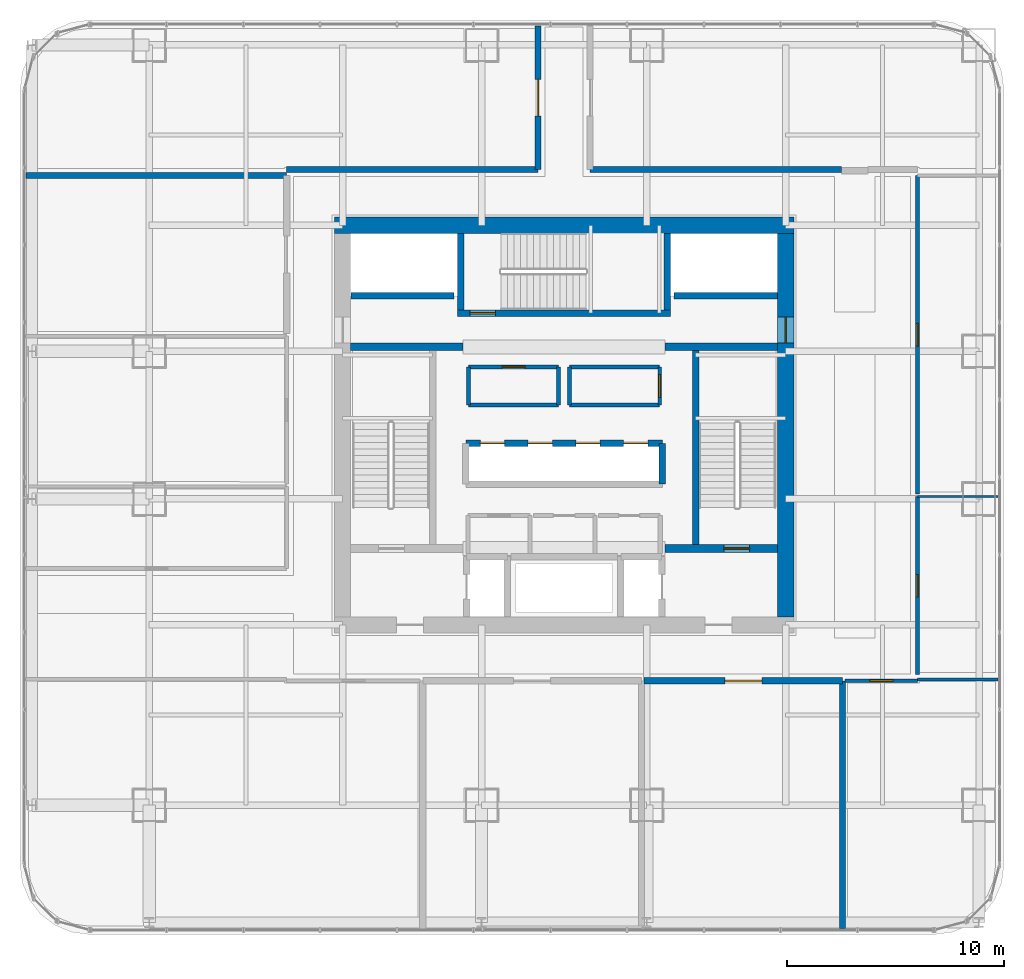
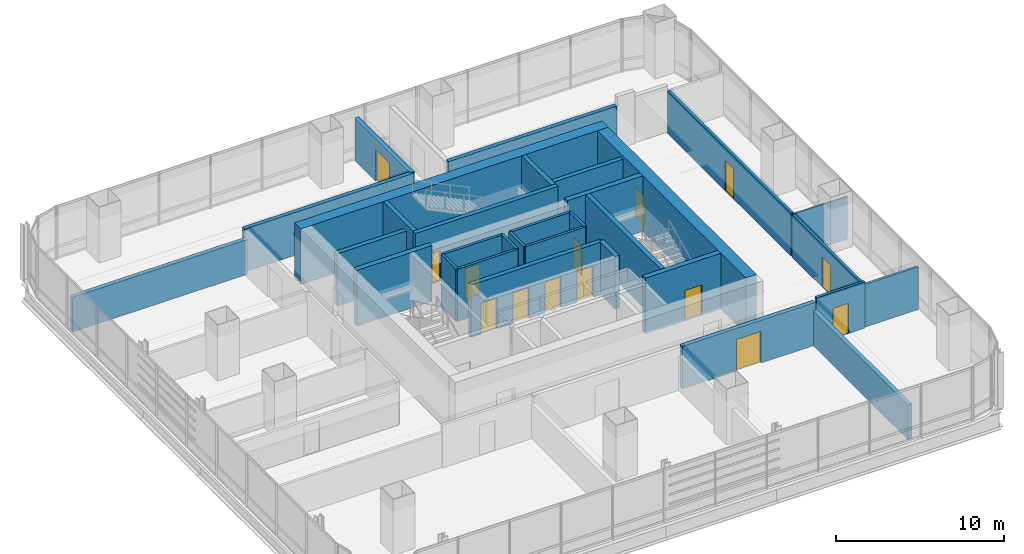
# One storey, part 29 of 36: 32 walls, 14 doors, 14 openings.
"""IFC4 building model written with IfcOpenShell, lengths in metres."""

from ifc_helpers import new_model, si_unit, direction, frame, frame_2d, origin, place, context, subcontext, project, spatial, rectangle, extrude, material, layer, layer_set, type_object, element, fill, save


model = new_model("IFC4")

# Units and contexts
model_context = context("Model", 3, precision=1e-05, world=origin(), true_north=direction((0.0, 1.0)))
body_context = subcontext(model_context, "Body", "Model", "MODEL_VIEW")
ifc_project = project(units=[si_unit("LENGTHUNIT", "METRE"), si_unit("AREAUNIT", "SQUARE_METRE"), si_unit("VOLUMEUNIT", "CUBIC_METRE"), si_unit("PLANEANGLEUNIT", "RADIAN"), si_unit("MASSUNIT", "GRAM", prefix="KILO")], contexts=[model_context])

# Site, building, storey
site_placement = place(None, origin())
site = spatial("IfcSite", under=ifc_project, at=site_placement, CompositionType="ELEMENT")
building_placement = place(site_placement, origin())
building = spatial("IfcBuilding", under=site, at=building_placement, Name="Punatoya Terracotta Tower", CompositionType="ELEMENT")
storey_placement = place(building_placement, frame((0.0, 0.0, 48.449951171875)))
storey = spatial("IfcBuildingStorey", under=building, at=storey_placement, Name="L10", CompositionType="ELEMENT", Elevation=48.449951171875)

# Wall
ifc_material_1 = material(Name="Concrete C40/50", Category="concrete")
ifc_layer_1 = layer(ifc_material_1, 0.280029296875)
ifc_layer_set_1 = layer_set([ifc_layer_1], Name="Concrete C40/50")
wall_type_1 = type_object("IfcWallType", Name="WL-AUD-280", PredefinedType="SOLIDWALL", material=ifc_layer_set_1)
wall_1_placement = place(storey_placement, frame((12.819091796875, -11.77001953125, 0.0), z_axis=(0.0, 0.0, 1.0), x_axis=(0.0, -1.0, 0.0)))
element("IfcWall", 1, at=wall_1_placement, inside=storey, type_object=wall_type_1, Name="L10 Open-Plan Executive Bistro Lounge Partition 19", PredefinedType="SOLIDWALL", context=body_context, shape_type="SweptSolid", body=[
    extrude(rectangle(XDim=11.39990234375, YDim=0.280029296875, at=frame_2d((5.699951171875, 0.0))), origin(), (0.0, 0.0, 1.0), 2.524169921875),
])

# Wall, opening, door
wall_2_placement = place(storey_placement, frame((3.678955078125, -11.77001953125, 0.0), z_axis=(0.0, 0.0, 1.0), x_axis=(1.0, 0.0, 0.0)))
wall_2 = element("IfcWall", 2, at=wall_2_placement, inside=storey, type_object=wall_type_1, Name="L10 Open-Plan Executive Bistro Lounge Partition 20", PredefinedType="SOLIDWALL", context=body_context, shape_type="SweptSolid", body=[
    extrude(rectangle(XDim=9.14013671875, YDim=0.280029296875, at=frame_2d((4.570068359375, 0.0))), origin(), (0.0, 0.0, 1.0), 3.10400390625),
])
opening_1_placement = place(wall_2_placement, frame((3.719970703125, 0.0, 0.0)))
opening_1 = element("IfcOpeningElement", 3, at=opening_1_placement, cuts=wall_2, Name="Opening FD-D1", PredefinedType="OPENING", context=body_context, shape_type="SweptSolid", body=[
    extrude(rectangle(XDim=1.699951171875, YDim=2.300048828125, at=frame_2d((0.85009765625, 1.14990234375))), frame((0.0, 0.14990234375, 0.0), z_axis=(0.0, -1.0, 0.0), x_axis=(1.0, 0.0, 0.0)), (0.0, 0.0, 1.0), 0.300048828125),
])
ifc_material_2 = material(Name="Timber Teak Veneer Fire Leaf", Category="wood")
door_type_1 = type_object("IfcDoorType", Name="DR-DIN-1700", OperationType="NOTDEFINED", PredefinedType="DOOR", material=ifc_material_2)
door_1_placement = place(opening_1_placement, origin())
door_1 = element("IfcDoor", 4, at=door_1_placement, inside=storey, type_object=door_type_1, Name="L10 Open-Plan Executive Bistro Lounge Fire Door", OperationType="DOUBLE_DOOR_SINGLE_SWING", OverallHeight=2.300048828125, OverallWidth=1.699951171875, PredefinedType="DOOR", context=body_context, shape_type="SweptSolid", body=[
    extrude(rectangle(XDim=1.699951171875, YDim=2.300048828125, at=frame_2d((0.85009765625, 1.14990234375))), frame((0.0, 0.02490234375, 0.0), z_axis=(0.0, -1.0, 0.0), x_axis=(1.0, 0.0, 0.0)), (0.0, 0.0, 1.0), 0.050048828125),
])
fill(opening_1, door_1)

# Wall
wall_3_placement = place(storey_placement, frame((-24.77001953125, 11.489990234375, 0.0), z_axis=(0.0, 0.0, 1.0), x_axis=(1.0, 0.0, 0.0)))
element("IfcWall", 5, at=wall_3_placement, inside=storey, type_object=wall_type_1, Name="L10 Terrace Refreshment Lounge Partition 34", PredefinedType="SOLIDWALL", context=body_context, shape_type="SweptSolid", body=[
    extrude(rectangle(XDim=12.0, YDim=0.280029296875, at=frame_2d((6.0, 0.0))), origin(), (0.0, 0.0, 1.0), 2.524169921875),
])

# Wall, opening, door
wall_4_placement = place(storey_placement, frame((-1.199951171875, 18.3701171875, 0.0), z_axis=(0.0, 0.0, 1.0), x_axis=(0.0, -1.0, 0.0)))
wall_4 = element("IfcWall", 6, at=wall_4_placement, inside=storey, type_object=wall_type_1, Name="L10 Hospitality Hosting Lounge Partition 36", PredefinedType="SOLIDWALL", context=body_context, shape_type="SweptSolid", body=[
    extrude(rectangle(XDim=6.60009765625, YDim=0.280029296875, at=frame_2d((3.300048828125, 0.0))), origin(), (0.0, 0.0, 1.0), 3.10400390625),
])
opening_2_placement = place(wall_4_placement, frame((2.449951171875, 0.0, 0.0)))
opening_2 = element("IfcOpeningElement", 7, at=opening_2_placement, cuts=wall_4, Name="Opening FD-D1", PredefinedType="OPENING", context=body_context, shape_type="SweptSolid", body=[
    extrude(rectangle(XDim=1.699951171875, YDim=2.300048828125, at=frame_2d((0.85009765625, 1.14990234375))), frame((0.0, 0.14990234375, 0.0), z_axis=(0.0, -1.0, 0.0), x_axis=(1.0, 0.0, 0.0)), (0.0, 0.0, 1.0), 0.300048828125),
])
door_2_placement = place(opening_2_placement, origin())
door_2 = element("IfcDoor", 8, at=door_2_placement, inside=storey, type_object=door_type_1, Name="L10 Hospitality Hosting Lounge Fire Door", OperationType="DOUBLE_DOOR_SINGLE_SWING", OverallHeight=2.300048828125, OverallWidth=1.699951171875, PredefinedType="DOOR", context=body_context, shape_type="SweptSolid", body=[
    extrude(rectangle(XDim=1.699951171875, YDim=2.300048828125, at=frame_2d((0.85009765625, 1.14990234375))), frame((0.0, 0.02490234375, 0.0), z_axis=(0.0, -1.0, 0.0), x_axis=(1.0, 0.0, 0.0)), (0.0, 0.0, 1.0), 0.050048828125),
])
fill(opening_2, door_2)

# Walls
for number, where, z_axis, x_axis, name in (
    (9, (-1.199951171875, 11.77001953125, 0.0), (0.0, 0.0, 1.0), (-1.0, 0.0, 0.0), "L10 Hospitality Hosting Lounge Partition 37"),
    (10, (12.77001953125, 11.77001953125, 0.0), (0.0, 0.0, 1.0), (-1.0, 0.0, 0.0), "L10 Open-Plan Client Dining Salon Partition 41"),
):
    element("IfcWall", number, at=place(storey_placement, frame(where, z_axis=z_axis, x_axis=x_axis)), inside=storey, type_object=wall_type_1, Name=name, PredefinedType="SOLIDWALL", context=body_context, shape_type="SweptSolid", body=[
        extrude(rectangle(XDim=11.570068359375, YDim=0.280029296875, at=frame_2d((5.78515625, 0.0))), origin(), (0.0, 0.0, 1.0), 3.10400390625),
    ])
ifc_material_3 = material(Name="Concrete C60/75", Category="concrete")
ifc_layer_2 = layer(ifc_material_3, 0.75)
ifc_layer_set_2 = layer_set([ifc_layer_2], Name="Concrete C60/75")
wall_type_2 = type_object("IfcWallType", Name="WL-COR-750", PredefinedType="SHEAR", material=ifc_layer_set_2)
wall_5_placement = place(storey_placement, frame((-10.574951171875, 9.199951171875, 0.0), z_axis=(0.0, 0.0, 1.0), x_axis=(1.0, 0.0, 0.0)))
element("IfcWall", 11, at=wall_5_placement, inside=storey, type_object=wall_type_2, Name="L10 Core Shear Wall N", PredefinedType="SHEAR", context=body_context, shape_type="SweptSolid", body=[
    extrude(rectangle(XDim=21.14990234375, YDim=0.75, at=frame_2d((10.574951171875, 0.0))), origin(), (0.0, 0.0, 1.0), 4.050048828125),
])

# Wall, opening, door
wall_6_placement = place(storey_placement, frame((10.199951171875, 8.824951171875, 0.0), z_axis=(0.0, 0.0, 1.0), x_axis=(0.0, -1.0, 0.0)))
wall_6 = element("IfcWall", 12, at=wall_6_placement, inside=storey, type_object=wall_type_2, Name="L10 Core Shear Wall E", PredefinedType="SHEAR", context=body_context, shape_type="SweptSolid", body=[
    extrude(rectangle(XDim=17.64990234375, YDim=0.75, at=frame_2d((8.824951171875, 0.0))), origin(), (0.0, 0.0, 1.0), 4.050048828125),
])
opening_3_placement = place(wall_6_placement, frame((3.85498046875, 0.0, 0.0)))
opening_3 = element("IfcOpeningElement", 13, at=opening_3_placement, cuts=wall_6, Name="Opening SD-01", PredefinedType="OPENING", context=body_context, shape_type="SweptSolid", body=[
    extrude(rectangle(XDim=1.179931640625, YDim=2.199951171875, at=frame_2d((0.58984375, 1.10009765625))), frame((0.0, 0.385009765625, 0.0), z_axis=(0.0, -1.0, 0.0), x_axis=(1.0, 0.0, 0.0)), (0.0, 0.0, 1.0), 0.77001953125),
])
ifc_material_4 = material(Name="Galvanised Steel Pressurized Stair Fire Door", Category="steel")
door_type_2 = type_object("IfcDoorType", Name="DR-STR-1180", OperationType="NOTDEFINED", PredefinedType="DOOR", material=ifc_material_4)
door_3_placement = place(opening_3_placement, origin())
door_3 = element("IfcDoor", 14, at=door_3_placement, inside=storey, type_object=door_type_2, Name="L10 Central Lift Lobby East Fire Door", OperationType="SINGLE_SWING_RIGHT", OverallHeight=2.199951171875, OverallWidth=1.179931640625, PredefinedType="DOOR", context=body_context, shape_type="SweptSolid", body=[
    extrude(rectangle(XDim=1.179931640625, YDim=2.199951171875, at=frame_2d((0.58984375, 1.10009765625))), frame((0.0, 0.02490234375, 0.0), z_axis=(0.0, -1.0, 0.0), x_axis=(1.0, 0.0, 0.0)), (0.0, 0.0, 1.0), 0.050048828125),
])
fill(opening_3, door_3)

# Wall
ifc_material_5 = material(Name="Gypsum Fireboard + Steel Stud", Category="steel")
ifc_layer_3 = layer(ifc_material_5, 0.179931640625)
ifc_layer_set_3 = layer_set([ifc_layer_3], Name="Gypsum Fireboard + Steel Stud")
wall_type_3 = type_object("IfcWallType", Name="WL-CORR-180", PredefinedType="PARTITIONING", material=ifc_layer_set_3)
wall_7_placement = place(storey_placement, frame((-0.25, 0.919921875, 0.0), z_axis=(0.0, 0.0, 1.0), x_axis=(0.0, 1.0, 0.0)))
element("IfcWall", 15, at=wall_7_placement, inside=storey, type_object=wall_type_3, Name="L10 West Core Focus Pod Partition 08", PredefinedType="PARTITIONING", context=body_context, shape_type="SweptSolid", body=[
    extrude(rectangle(XDim=1.760009765625, YDim=0.179931640625, at=frame_2d((0.8798828125, 0.0))), origin(), (0.0, 0.0, 1.0), 3.81005859375),
])

# Wall, opening, door
wall_8_placement = place(storey_placement, frame((-0.25, 2.679931640625, 0.0), z_axis=(0.0, 0.0, 1.0), x_axis=(-1.0, 0.0, 0.0)))
wall_8 = element("IfcWall", 16, at=wall_8_placement, inside=storey, type_object=wall_type_3, Name="L10 West Core Focus Pod Partition 09", PredefinedType="PARTITIONING", context=body_context, shape_type="SweptSolid", body=[
    extrude(rectangle(XDim=4.14990234375, YDim=0.179931640625, at=frame_2d((2.074951171875, 0.0))), origin(), (0.0, 0.0, 1.0), 3.81005859375),
])
opening_4_placement = place(wall_8_placement, frame((1.550048828125, 0.0, 0.0)))
opening_4 = element("IfcOpeningElement", 17, at=opening_4_placement, cuts=wall_8, Name="Opening OD-01", PredefinedType="OPENING", context=body_context, shape_type="SweptSolid", body=[
    extrude(rectangle(XDim=1.050048828125, YDim=2.199951171875, at=frame_2d((0.52490234375, 1.10009765625))), frame((0.0, 0.099853515625, 0.0), z_axis=(0.0, -1.0, 0.0), x_axis=(1.0, 0.0, 0.0)), (0.0, 0.0, 1.0), 0.199951171875),
])
ifc_material_6 = material(Name="Bengal Teak Solid-Core Leaf")
door_type_3 = type_object("IfcDoorType", Name="DR-OFF-1050", OperationType="NOTDEFINED", PredefinedType="DOOR", material=ifc_material_6)
door_4_placement = place(opening_4_placement, origin())
door_4 = element("IfcDoor", 18, at=door_4_placement, inside=storey, type_object=door_type_3, Name="L10 West Focus Pod Door", OperationType="SINGLE_SWING_RIGHT", OverallHeight=2.199951171875, OverallWidth=1.050048828125, PredefinedType="DOOR", context=body_context, shape_type="SweptSolid", body=[
    extrude(rectangle(XDim=1.050048828125, YDim=2.199951171875, at=frame_2d((0.52490234375, 1.10009765625))), frame((0.0, 0.02490234375, 0.0), z_axis=(0.0, -1.0, 0.0), x_axis=(1.0, 0.0, 0.0)), (0.0, 0.0, 1.0), 0.050048828125),
])
fill(opening_4, door_4)

# Walls
wall_9_placement = place(storey_placement, frame((-4.39990234375, 2.679931640625, 0.0), z_axis=(0.0, 0.0, 1.0), x_axis=(0.0, -1.0, 0.0)))
element("IfcWall", 19, at=wall_9_placement, inside=storey, type_object=wall_type_3, Name="L10 West Core Focus Pod Partition 10", PredefinedType="PARTITIONING", context=body_context, shape_type="SweptSolid", body=[
    extrude(rectangle(XDim=1.760009765625, YDim=0.179931640625, at=frame_2d((0.8798828125, 0.0))), origin(), (0.0, 0.0, 1.0), 3.81005859375),
])
wall_10_placement = place(storey_placement, frame((-4.39990234375, 0.919921875, 0.0), z_axis=(0.0, 0.0, 1.0), x_axis=(1.0, 0.0, 0.0)))
element("IfcWall", 20, at=wall_10_placement, inside=storey, type_object=wall_type_3, Name="L10 West Core Focus Pod Partition 11", PredefinedType="PARTITIONING", context=body_context, shape_type="SweptSolid", body=[
    extrude(rectangle(XDim=4.14990234375, YDim=0.179931640625, at=frame_2d((2.074951171875, 0.0))), origin(), (0.0, 0.0, 1.0), 3.81005859375),
])

# Wall, opening, door
wall_11_placement = place(storey_placement, frame((4.39990234375, 0.919921875, 0.0), z_axis=(0.0, 0.0, 1.0), x_axis=(0.0, 1.0, 0.0)))
wall_11 = element("IfcWall", 21, at=wall_11_placement, inside=storey, type_object=wall_type_3, Name="L10 East Core Wellness Room Partition 12", PredefinedType="PARTITIONING", context=body_context, shape_type="SweptSolid", body=[
    extrude(rectangle(XDim=1.760009765625, YDim=0.179931640625, at=frame_2d((0.8798828125, 0.0))), origin(), (0.0, 0.0, 1.0), 3.81005859375),
])
opening_5_placement = place(wall_11_placement, frame((0.35498046875, 0.0, 0.0)))
opening_5 = element("IfcOpeningElement", 22, at=opening_5_placement, cuts=wall_11, Name="Opening OD-01", PredefinedType="OPENING", context=body_context, shape_type="SweptSolid", body=[
    extrude(rectangle(XDim=1.050048828125, YDim=2.199951171875, at=frame_2d((0.52490234375, 1.10009765625))), frame((0.0, 0.099853515625, 0.0), z_axis=(0.0, -1.0, 0.0), x_axis=(1.0, 0.0, 0.0)), (0.0, 0.0, 1.0), 0.199951171875),
])
door_5_placement = place(opening_5_placement, origin())
door_5 = element("IfcDoor", 23, at=door_5_placement, inside=storey, type_object=door_type_3, Name="L10 East Wellness Room Door", OperationType="SINGLE_SWING_LEFT", OverallHeight=2.199951171875, OverallWidth=1.050048828125, PredefinedType="DOOR", context=body_context, shape_type="SweptSolid", body=[
    extrude(rectangle(XDim=1.050048828125, YDim=2.199951171875, at=frame_2d((0.52490234375, 1.10009765625))), frame((0.0, 0.02490234375, 0.0), z_axis=(0.0, -1.0, 0.0), x_axis=(1.0, 0.0, 0.0)), (0.0, 0.0, 1.0), 0.050048828125),
])
fill(opening_5, door_5)

# Walls
wall_12_placement = place(storey_placement, frame((4.39990234375, 2.679931640625, 0.0), z_axis=(0.0, 0.0, 1.0), x_axis=(-1.0, 0.0, 0.0)))
element("IfcWall", 24, at=wall_12_placement, inside=storey, type_object=wall_type_3, Name="L10 East Core Wellness Room Partition 13", PredefinedType="PARTITIONING", context=body_context, shape_type="SweptSolid", body=[
    extrude(rectangle(XDim=4.14990234375, YDim=0.179931640625, at=frame_2d((2.074951171875, 0.0))), origin(), (0.0, 0.0, 1.0), 3.81005859375),
])
wall_13_placement = place(storey_placement, frame((0.25, 2.679931640625, 0.0), z_axis=(0.0, 0.0, 1.0), x_axis=(0.0, -1.0, 0.0)))
element("IfcWall", 25, at=wall_13_placement, inside=storey, type_object=wall_type_3, Name="L10 East Core Wellness Room Partition 14", PredefinedType="PARTITIONING", context=body_context, shape_type="SweptSolid", body=[
    extrude(rectangle(XDim=1.760009765625, YDim=0.179931640625, at=frame_2d((0.8798828125, 0.0))), origin(), (0.0, 0.0, 1.0), 3.81005859375),
])
wall_14_placement = place(storey_placement, frame((0.25, 0.919921875, 0.0), z_axis=(0.0, 0.0, 1.0), x_axis=(1.0, 0.0, 0.0)))
element("IfcWall", 26, at=wall_14_placement, inside=storey, type_object=wall_type_3, Name="L10 East Core Wellness Room Partition 15", PredefinedType="PARTITIONING", context=body_context, shape_type="SweptSolid", body=[
    extrude(rectangle(XDim=4.14990234375, YDim=0.179931640625, at=frame_2d((2.074951171875, 0.0))), origin(), (0.0, 0.0, 1.0), 3.81005859375),
])

# Wall, opening, door
wall_15_placement = place(storey_placement, frame((12.93896484375, -11.77001953125, 0.0), z_axis=(0.0, 0.0, 1.0), x_axis=(1.0, 0.0, 0.0)))
wall_15 = element("IfcWall", 27, at=wall_15_placement, inside=storey, type_object=wall_type_3, Name="L10 Open-Plan Visitor Reception Salon Partition 24", PredefinedType="PARTITIONING", context=body_context, shape_type="SweptSolid", body=[
    extrude(rectangle(XDim=3.3310546875, YDim=0.179931640625, at=frame_2d((1.66552734375, 0.0))), origin(), (0.0, 0.0, 1.0), 3.35400390625),
])
opening_6_placement = place(wall_15_placement, frame((1.140380859375, 0.0, 0.0)))
opening_6 = element("IfcOpeningElement", 28, at=opening_6_placement, cuts=wall_15, Name="Opening OD-01", PredefinedType="OPENING", context=body_context, shape_type="SweptSolid", body=[
    extrude(rectangle(XDim=1.050048828125, YDim=2.199951171875, at=frame_2d((0.52490234375, 1.10009765625))), frame((0.0, 0.099853515625, 0.0), z_axis=(0.0, -1.0, 0.0), x_axis=(1.0, 0.0, 0.0)), (0.0, 0.0, 1.0), 0.199951171875),
])
door_6_placement = place(opening_6_placement, origin())
door_6 = element("IfcDoor", 29, at=door_6_placement, inside=storey, type_object=door_type_3, Name="L10 Open-Plan Visitor Reception Salon Door", OperationType="SINGLE_SWING_LEFT", OverallHeight=2.199951171875, OverallWidth=1.050048828125, PredefinedType="DOOR", context=body_context, shape_type="SweptSolid", body=[
    extrude(rectangle(XDim=1.050048828125, YDim=2.199951171875, at=frame_2d((0.52490234375, 1.10009765625))), frame((0.0, 0.02490234375, 0.0), z_axis=(0.0, -1.0, 0.0), x_axis=(1.0, 0.0, 0.0)), (0.0, 0.0, 1.0), 0.050048828125),
])
fill(opening_6, door_6)

wall_16_placement = place(storey_placement, frame((16.27001953125, -11.489990234375, 0.0), z_axis=(0.0, 0.0, 1.0), x_axis=(0.0, 1.0, 0.0)))
wall_16 = element("IfcWall", 30, at=wall_16_placement, inside=storey, type_object=wall_type_3, Name="L10 Open-Plan Private Dining Boardroom Partition 26", PredefinedType="PARTITIONING", context=body_context, shape_type="SweptSolid", body=[
    extrude(rectangle(XDim=8.196044921875, YDim=0.179931640625, at=frame_2d((4.09814453125, 0.0))), origin(), (0.0, 0.0, 1.0), 3.10400390625),
])
opening_7_placement = place(wall_16_placement, frame((3.587890625, 0.0, 0.0)))
opening_7 = element("IfcOpeningElement", 31, at=opening_7_placement, cuts=wall_16, Name="Opening MD-01", PredefinedType="OPENING", context=body_context, shape_type="SweptSolid", body=[
    extrude(rectangle(XDim=1.02001953125, YDim=2.199951171875, at=frame_2d((0.510009765625, 1.10009765625))), frame((0.0, 0.099853515625, 0.0), z_axis=(0.0, -1.0, 0.0), x_axis=(1.0, 0.0, 0.0)), (0.0, 0.0, 1.0), 0.199951171875),
])
ifc_material_7 = material(Name="Aluminium + Acoustic Glass Leaf", Category="aluminium")
door_type_4 = type_object("IfcDoorType", Name="DR-MTG-1020", OperationType="NOTDEFINED", PredefinedType="DOOR", material=ifc_material_7)
door_7_placement = place(opening_7_placement, origin())
door_7 = element("IfcDoor", 32, at=door_7_placement, inside=storey, type_object=door_type_4, Name="L10 Open-Plan Private Dining Boardroom Door", OperationType="SINGLE_SWING_RIGHT", OverallHeight=2.199951171875, OverallWidth=1.02001953125, PredefinedType="DOOR", context=body_context, shape_type="SweptSolid", body=[
    extrude(rectangle(XDim=1.02001953125, YDim=2.199951171875, at=frame_2d((0.510009765625, 1.10009765625))), frame((0.0, 0.02490234375, 0.0), z_axis=(0.0, -1.0, 0.0), x_axis=(1.0, 0.0, 0.0)), (0.0, 0.0, 1.0), 0.050048828125),
])
fill(opening_7, door_7)

wall_17_placement = place(storey_placement, frame((16.27001953125, -3.174072265625, 0.0), z_axis=(0.0, 0.0, 1.0), x_axis=(0.0, 1.0, 0.0)))
wall_17 = element("IfcWall", 33, at=wall_17_placement, inside=storey, type_object=wall_type_3, Name="L10 Open-Plan Waterfront Club Lounge Partition 33", PredefinedType="PARTITIONING", context=body_context, shape_type="SweptSolid", body=[
    extrude(rectangle(XDim=14.6640625, YDim=0.179931640625, at=frame_2d((7.33203125, 0.0))), origin(), (0.0, 0.0, 1.0), 3.10400390625),
])
opening_8_placement = place(wall_17_placement, frame((6.806884765625, 0.0, 0.0)))
opening_8 = element("IfcOpeningElement", 34, at=opening_8_placement, cuts=wall_17, Name="Opening OD-01", PredefinedType="OPENING", context=body_context, shape_type="SweptSolid", body=[
    extrude(rectangle(XDim=1.050048828125, YDim=2.199951171875, at=frame_2d((0.52490234375, 1.10009765625))), frame((0.0, 0.099853515625, 0.0), z_axis=(0.0, -1.0, 0.0), x_axis=(1.0, 0.0, 0.0)), (0.0, 0.0, 1.0), 0.199951171875),
])
door_8_placement = place(opening_8_placement, origin())
door_8 = element("IfcDoor", 35, at=door_8_placement, inside=storey, type_object=door_type_3, Name="L10 Open-Plan Waterfront Club Lounge Door", OperationType="SINGLE_SWING_LEFT", OverallHeight=2.199951171875, OverallWidth=1.050048828125, PredefinedType="DOOR", context=body_context, shape_type="SweptSolid", body=[
    extrude(rectangle(XDim=1.050048828125, YDim=2.199951171875, at=frame_2d((0.52490234375, 1.10009765625))), frame((0.0, 0.02490234375, 0.0), z_axis=(0.0, -1.0, 0.0), x_axis=(1.0, 0.0, 0.0)), (0.0, 0.0, 1.0), 0.050048828125),
])
fill(opening_8, door_8)

# Walls
ifc_material_8 = material(Name="Aluminium Framed Acoustic Glass Partition", Category="aluminium")
ifc_layer_4 = layer(ifc_material_8, 0.10009765625)
ifc_layer_set_4 = layer_set([ifc_layer_4], Name="Aluminium Framed Acoustic Glass Partition")
wall_type_4 = type_object("IfcWallType", Name="WL-GLZ-100", PredefinedType="PARTITIONING", material=ifc_layer_set_4)
wall_18_placement = place(storey_placement, frame((16.27001953125, -3.2939453125, 0.0), z_axis=(0.0, 0.0, 1.0), x_axis=(1.0, 0.0, 0.0)))
element("IfcWall", 36, at=wall_18_placement, inside=storey, type_object=wall_type_4, Name="L10 Open-Plan Private Dining Boardroom Partition 25", PredefinedType="PARTITIONING", context=body_context, shape_type="SweptSolid", body=[
    extrude(rectangle(XDim=3.699951171875, YDim=0.10009765625, at=frame_2d((1.85009765625, 0.0))), origin(), (0.0, 0.0, 1.0), 3.10400390625),
])
ifc_material_9 = material(Name="Acoustic Gypsum + Steel Stud", Category="steel")
ifc_layer_5 = layer(ifc_material_9, 0.139892578125)
ifc_layer_set_5 = layer_set([ifc_layer_5], Name="Acoustic Gypsum + Steel Stud")
wall_type_5 = type_object("IfcWallType", Name="WL-OFF-140", PredefinedType="PARTITIONING", material=ifc_layer_set_5)
wall_19_placement = place(storey_placement, frame((16.27001953125, -11.7099609375, 0.0), z_axis=(0.0, 0.0, 1.0), x_axis=(1.0, 0.0, 0.0)))
element("IfcWall", 37, at=wall_19_placement, inside=storey, type_object=wall_type_5, Name="L10 Open-Plan Visitor Reception Salon Partition 23", PredefinedType="PARTITIONING", context=body_context, shape_type="SweptSolid", body=[
    extrude(rectangle(XDim=3.699951171875, YDim=0.139892578125, at=frame_2d((1.85009765625, 0.0))), origin(), (0.0, 0.0, 1.0), 3.10400390625),
])
ifc_layer_6 = layer(ifc_material_1, 0.300048828125)
ifc_layer_set_6 = layer_set([ifc_layer_6], Name="Concrete C40/50")
wall_type_6 = type_object("IfcWallType", Name="WL-SHF-300", PredefinedType="SOLIDWALL", material=ifc_layer_set_6)
wall_20_placement = place(storey_placement, frame((6.050048828125, 3.449951171875, 0.0), z_axis=(0.0, 0.0, 1.0), x_axis=(0.0, -1.0, 0.0)))
element("IfcWall", 38, at=wall_20_placement, inside=storey, type_object=wall_type_6, Name="L10 Structural Stair Shaft Wall SW-ST2-W", PredefinedType="SOLIDWALL", context=body_context, shape_type="SweptSolid", body=[
    extrude(rectangle(XDim=8.949951171875, YDim=0.300048828125, at=frame_2d((4.47509765625, 0.0))), origin(), (0.0, 0.0, 1.0), 4.050048828125),
])
for number, where, z_axis, x_axis, name in (
    (39, (-4.75, 5.300048828125, 0.0), (0.0, 0.0, 1.0), (0.0, 1.0, 0.0), "L10 Structural Stair Shaft Wall SW-ST3-W"),
    (40, (4.75, 8.824951171875, 0.0), (0.0, 0.0, 1.0), (0.0, -1.0, 0.0), "L10 Structural Stair Shaft Wall SW-ST3-E"),
):
    element("IfcWall", number, at=place(storey_placement, frame(where, z_axis=z_axis, x_axis=x_axis)), inside=storey, type_object=wall_type_6, Name=name, PredefinedType="SOLIDWALL", context=body_context, shape_type="SweptSolid", body=[
        extrude(rectangle(XDim=3.52490234375, YDim=0.300048828125, at=frame_2d((1.762451171875, 0.0))), origin(), (0.0, 0.0, 1.0), 4.050048828125),
    ])

# Wall, opening, door
wall_21_placement = place(storey_placement, frame((-4.89990234375, 5.14990234375, 0.0), z_axis=(0.0, 0.0, 1.0), x_axis=(1.0, 0.0, 0.0)))
wall_21 = element("IfcWall", 41, at=wall_21_placement, inside=storey, type_object=wall_type_6, Name="L10 Structural Stair Shaft Wall SW-ST3-S", PredefinedType="SOLIDWALL", context=body_context, shape_type="SweptSolid", body=[
    extrude(rectangle(XDim=9.7998046875, YDim=0.300048828125, at=frame_2d((4.89990234375, 0.0))), origin(), (0.0, 0.0, 1.0), 4.050048828125),
])
opening_9_placement = place(wall_21_placement, frame((0.56005859375, 0.0, 0.0)))
opening_9 = element("IfcOpeningElement", 42, at=opening_9_placement, cuts=wall_21, Name="Opening SD-01", PredefinedType="OPENING", context=body_context, shape_type="SweptSolid", body=[
    extrude(rectangle(XDim=1.179931640625, YDim=2.199951171875, at=frame_2d((0.58984375, 1.10009765625))), frame((0.0, 0.159912109375, 0.0), z_axis=(0.0, -1.0, 0.0), x_axis=(1.0, 0.0, 0.0)), (0.0, 0.0, 1.0), 0.320068359375),
])
door_9_placement = place(opening_9_placement, origin())
door_9 = element("IfcDoor", 43, at=door_9_placement, inside=storey, type_object=door_type_2, Name="L10 Stair ST-3 Core Lobby Fire Door", OperationType="SINGLE_SWING_LEFT", OverallHeight=2.199951171875, OverallWidth=1.179931640625, PredefinedType="DOOR", context=body_context, shape_type="SweptSolid", body=[
    extrude(rectangle(XDim=1.179931640625, YDim=2.199951171875, at=frame_2d((0.58984375, 1.10009765625))), frame((0.0, 0.02490234375, 0.0), z_axis=(0.0, -1.0, 0.0), x_axis=(1.0, 0.0, 0.0)), (0.0, 0.0, 1.0), 0.050048828125),
])
fill(opening_9, door_9)

# Wall, openings, doors
wall_22_placement = place(storey_placement, frame((-4.52001953125, -0.840087890625, 0.0), z_axis=(0.0, 0.0, 1.0), x_axis=(1.0, 0.0, 0.0)))
wall_22 = element("IfcWall", 44, at=wall_22_placement, inside=storey, type_object=wall_type_6, Name="L10 South Lift Bank Front Shaft Wall", PredefinedType="SOLIDWALL", context=body_context, shape_type="SweptSolid", body=[
    extrude(rectangle(XDim=9.0400390625, YDim=0.300048828125, at=frame_2d((4.52001953125, 0.0))), origin(), (0.0, 0.0, 1.0), 3.81005859375),
])
opening_10_placement = place(wall_22_placement, frame((0.659912109375, 0.0, 0.0)))
opening_10 = element("IfcOpeningElement", 45, at=opening_10_placement, cuts=wall_22, Name="Opening LD-02", PredefinedType="OPENING", context=body_context, shape_type="SweptSolid", body=[
    extrude(rectangle(XDim=1.1201171875, YDim=2.25, at=frame_2d((0.56005859375, 1.125))), frame((0.0, 0.159912109375, 0.0), z_axis=(0.0, -1.0, 0.0), x_axis=(1.0, 0.0, 0.0)), (0.0, 0.0, 1.0), 0.320068359375),
])
opening_11_placement = place(wall_22_placement, frame((2.860107421875, 0.0, 0.0)))
opening_11 = element("IfcOpeningElement", 46, at=opening_11_placement, cuts=wall_22, Name="Opening LD-02", PredefinedType="OPENING", context=body_context, shape_type="SweptSolid", body=[
    extrude(rectangle(XDim=1.1201171875, YDim=2.25, at=frame_2d((0.56005859375, 1.125))), frame((0.0, 0.159912109375, 0.0), z_axis=(0.0, -1.0, 0.0), x_axis=(1.0, 0.0, 0.0)), (0.0, 0.0, 1.0), 0.320068359375),
])
opening_12_placement = place(wall_22_placement, frame((5.06005859375, 0.0, 0.0)))
opening_12 = element("IfcOpeningElement", 47, at=opening_12_placement, cuts=wall_22, Name="Opening LD-02", PredefinedType="OPENING", context=body_context, shape_type="SweptSolid", body=[
    extrude(rectangle(XDim=1.1201171875, YDim=2.25, at=frame_2d((0.56005859375, 1.125))), frame((0.0, 0.159912109375, 0.0), z_axis=(0.0, -1.0, 0.0), x_axis=(1.0, 0.0, 0.0)), (0.0, 0.0, 1.0), 0.320068359375),
])
opening_13_placement = place(wall_22_placement, frame((7.260009765625, 0.0, 0.0)))
opening_13 = element("IfcOpeningElement", 48, at=opening_13_placement, cuts=wall_22, Name="Opening LD-02", PredefinedType="OPENING", context=body_context, shape_type="SweptSolid", body=[
    extrude(rectangle(XDim=1.1201171875, YDim=2.25, at=frame_2d((0.56005859375, 1.125))), frame((0.0, 0.159912109375, 0.0), z_axis=(0.0, -1.0, 0.0), x_axis=(1.0, 0.0, 0.0)), (0.0, 0.0, 1.0), 0.320068359375),
])
ifc_material_10 = material(Name="Stainless Steel Lift Landing Door", Category="steel")
door_type_5 = type_object("IfcDoorType", Name="DR-LND-1120", OperationType="NOTDEFINED", PredefinedType="DOOR", material=ifc_material_10)
door_10_placement = place(opening_10_placement, origin())
door_10 = element("IfcDoor", 49, at=door_10_placement, inside=storey, type_object=door_type_5, Name="L10 Lift PL-L1 Sliding Landing Door", OperationType="DOUBLE_DOOR_SLIDING", OverallHeight=2.25, OverallWidth=1.1201171875, PredefinedType="DOOR", context=body_context, shape_type="SweptSolid", body=[
    extrude(rectangle(XDim=1.1201171875, YDim=2.25, at=frame_2d((0.56005859375, 1.125))), frame((0.0, 0.02490234375, 0.0), z_axis=(0.0, -1.0, 0.0), x_axis=(1.0, 0.0, 0.0)), (0.0, 0.0, 1.0), 0.050048828125),
])
fill(opening_10, door_10)
door_11_placement = place(opening_11_placement, origin())
door_11 = element("IfcDoor", 50, at=door_11_placement, inside=storey, type_object=door_type_5, Name="L10 Lift PL-L2 Sliding Landing Door", OperationType="DOUBLE_DOOR_SLIDING", OverallHeight=2.25, OverallWidth=1.1201171875, PredefinedType="DOOR", context=body_context, shape_type="SweptSolid", body=[
    extrude(rectangle(XDim=1.1201171875, YDim=2.25, at=frame_2d((0.56005859375, 1.125))), frame((0.0, 0.02490234375, 0.0), z_axis=(0.0, -1.0, 0.0), x_axis=(1.0, 0.0, 0.0)), (0.0, 0.0, 1.0), 0.050048828125),
])
fill(opening_11, door_11)
door_12_placement = place(opening_12_placement, origin())
door_12 = element("IfcDoor", 51, at=door_12_placement, inside=storey, type_object=door_type_5, Name="L10 Lift PL-L3 Sliding Landing Door", OperationType="DOUBLE_DOOR_SLIDING", OverallHeight=2.25, OverallWidth=1.1201171875, PredefinedType="DOOR", context=body_context, shape_type="SweptSolid", body=[
    extrude(rectangle(XDim=1.1201171875, YDim=2.25, at=frame_2d((0.56005859375, 1.125))), frame((0.0, 0.02490234375, 0.0), z_axis=(0.0, -1.0, 0.0), x_axis=(1.0, 0.0, 0.0)), (0.0, 0.0, 1.0), 0.050048828125),
])
fill(opening_12, door_12)
door_13_placement = place(opening_13_placement, origin())
door_13 = element("IfcDoor", 52, at=door_13_placement, inside=storey, type_object=door_type_5, Name="L10 Lift PL-L4 Sliding Landing Door", OperationType="DOUBLE_DOOR_SLIDING", OverallHeight=2.25, OverallWidth=1.1201171875, PredefinedType="DOOR", context=body_context, shape_type="SweptSolid", body=[
    extrude(rectangle(XDim=1.1201171875, YDim=2.25, at=frame_2d((0.56005859375, 1.125))), frame((0.0, 0.02490234375, 0.0), z_axis=(0.0, -1.0, 0.0), x_axis=(1.0, 0.0, 0.0)), (0.0, 0.0, 1.0), 0.050048828125),
])
fill(opening_13, door_13)

# Walls
wall_23_placement = place(storey_placement, frame((4.52001953125, -2.719970703125, 0.0), z_axis=(0.0, 0.0, 1.0), x_axis=(0.0, 1.0, 0.0)))
element("IfcWall", 53, at=wall_23_placement, inside=storey, type_object=wall_type_6, Name="L10 South Lift Bank East End Wall", PredefinedType="SOLIDWALL", context=body_context, shape_type="SweptSolid", body=[
    extrude(rectangle(XDim=1.8798828125, YDim=0.300048828125, at=frame_2d((0.93994140625, 0.0))), origin(), (0.0, 0.0, 1.0), 3.81005859375),
])
for number, where, z_axis, x_axis, name in (
    (54, (-9.820068359375, 5.949951171875, 0.0), (0.0, 0.0, 1.0), (1.0, 0.0, 0.0), "L10 Shuttle SL-1 South Hoistway Wall"),
    (55, (5.06005859375, 5.949951171875, 0.0), (0.0, 0.0, 1.0), (1.0, 0.0, 0.0), "L10 Shuttle SL-2 South Hoistway Wall"),
):
    element("IfcWall", number, at=place(storey_placement, frame(where, z_axis=z_axis, x_axis=x_axis)), inside=storey, type_object=wall_type_6, Name=name, PredefinedType="SOLIDWALL", context=body_context, shape_type="SweptSolid", body=[
        extrude(rectangle(XDim=4.760009765625, YDim=0.300048828125, at=frame_2d((2.3798828125, 0.0))), origin(), (0.0, 0.0, 1.0), 3.81005859375),
    ])

# Wall, opening, door
ifc_material_11 = material(Name="Concrete C50/60", Category="concrete")
ifc_layer_7 = layer(ifc_material_11, 0.35009765625)
ifc_layer_set_7 = layer_set([ifc_layer_7], Name="Concrete C50/60")
wall_type_7 = type_object("IfcWallType", Name="WL-SHF-350", PredefinedType="SOLIDWALL", material=ifc_layer_set_7)
wall_24_placement = place(storey_placement, frame((4.64990234375, -5.679931640625, 0.0), z_axis=(0.0, 0.0, 1.0), x_axis=(1.0, 0.0, 0.0)))
wall_24 = element("IfcWall", 56, at=wall_24_placement, inside=storey, type_object=wall_type_7, Name="L10 Core Web Wall CSW-R", PredefinedType="SOLIDWALL", context=body_context, shape_type="SweptSolid", body=[
    extrude(rectangle(XDim=5.175048828125, YDim=0.35009765625, at=frame_2d((2.58740234375, 0.0))), origin(), (0.0, 0.0, 1.0), 4.050048828125),
])
opening_14_placement = place(wall_24_placement, frame((2.7099609375, 0.0, 0.0)))
opening_14 = element("IfcOpeningElement", 57, at=opening_14_placement, cuts=wall_24, Name="Opening SD-01", PredefinedType="OPENING", context=body_context, shape_type="SweptSolid", body=[
    extrude(rectangle(XDim=1.179931640625, YDim=2.199951171875, at=frame_2d((0.58984375, 1.10009765625))), frame((0.0, 0.18505859375, 0.0), z_axis=(0.0, -1.0, 0.0), x_axis=(1.0, 0.0, 0.0)), (0.0, 0.0, 1.0), 0.3701171875),
])
door_14_placement = place(opening_14_placement, origin())
door_14 = element("IfcDoor", 58, at=door_14_placement, inside=storey, type_object=door_type_2, Name="L10 Stair ST-2 Smokeproof Lobby Fire Door", OperationType="SINGLE_SWING_RIGHT", OverallHeight=2.199951171875, OverallWidth=1.179931640625, PredefinedType="DOOR", context=body_context, shape_type="SweptSolid", body=[
    extrude(rectangle(XDim=1.179931640625, YDim=2.199951171875, at=frame_2d((0.58984375, 1.10009765625))), frame((0.0, 0.02490234375, 0.0), z_axis=(0.0, -1.0, 0.0), x_axis=(1.0, 0.0, 0.0)), (0.0, 0.0, 1.0), 0.050048828125),
])
fill(opening_14, door_14)

# Walls
for number, where, z_axis, x_axis, name in (
    (59, (-9.824951171875, 3.60009765625, 0.0), (0.0, 0.0, 1.0), (1.0, 0.0, 0.0), "L10 Core Web Wall CNW-L"),
    (60, (4.64990234375, 3.60009765625, 0.0), (0.0, 0.0, 1.0), (1.0, 0.0, 0.0), "L10 Core Web Wall CNW-R"),
):
    element("IfcWall", number, at=place(storey_placement, frame(where, z_axis=z_axis, x_axis=x_axis)), inside=storey, type_object=wall_type_7, Name=name, PredefinedType="SOLIDWALL", context=body_context, shape_type="SweptSolid", body=[
        extrude(rectangle(XDim=5.175048828125, YDim=0.35009765625, at=frame_2d((2.58740234375, 0.0))), origin(), (0.0, 0.0, 1.0), 4.050048828125),
    ])

save(model, "model.ifc")
